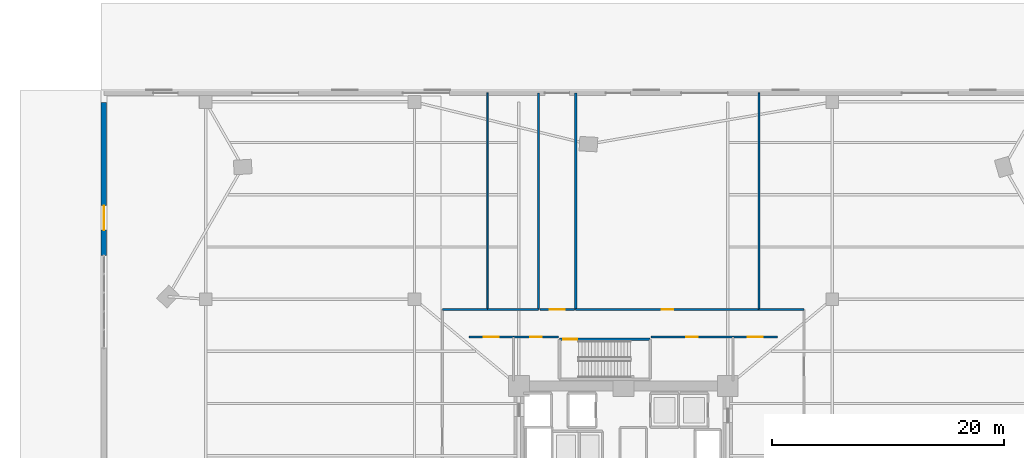
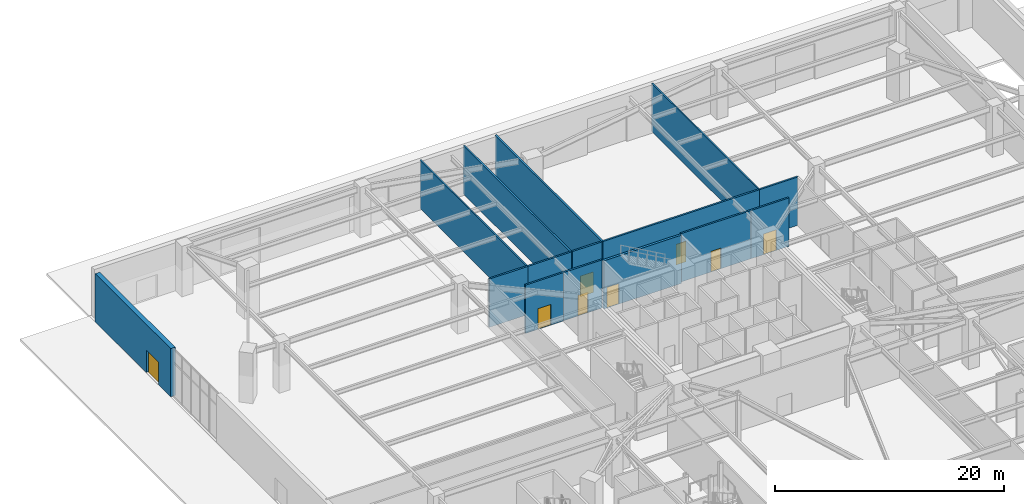
# One storey, part 21 of 30: 15 walls, 8 doors, 8 openings.
"""IFC4 building model written with IfcOpenShell, lengths in metres."""

from ifc_helpers import new_model, si_unit, direction, frame, frame_2d, origin, place, context, subcontext, project, spatial, rectangle, extrude, source, transform, mapped, material, layer, layer_set, type_object, element, fill, save


model = new_model("IFC4")

# Units and contexts
model_context = context("Model", 3, precision=1e-05, world=origin(), true_north=direction((0.0, 1.0)))
body_context = subcontext(model_context, "Body", "Model", "MODEL_VIEW")
ifc_project = project(units=[si_unit("LENGTHUNIT", "METRE"), si_unit("AREAUNIT", "SQUARE_METRE"), si_unit("VOLUMEUNIT", "CUBIC_METRE"), si_unit("PLANEANGLEUNIT", "RADIAN"), si_unit("MASSUNIT", "GRAM", prefix="KILO")], contexts=[model_context])

# Site, building, storey
site_placement = place(None, origin())
site = spatial("IfcSite", under=ifc_project, at=site_placement, CompositionType="ELEMENT")
building_placement = place(site_placement, origin())
building = spatial("IfcBuilding", under=site, at=building_placement, Name="Liaohun Quay Tower", CompositionType="ELEMENT")
storey_placement = place(building_placement, origin())
storey = spatial("IfcBuildingStorey", under=building, at=storey_placement, Name="L01", CompositionType="ELEMENT", Elevation=0.0)

# Wall, opening, door
ifc_material_1 = material(Name="Precast concrete C50 with granite facing", Category="masonry")
ifc_layer_1 = layer(ifc_material_1, 0.4599609375, Name="Precast concrete C50 with granite facing", Category="masonry")
ifc_layer_set_1 = layer_set([ifc_layer_1], Name="Precast concrete C50 with granite facing")
wall_type_1 = type_object("IfcWallType", Name="WAL-EXT-POD", PredefinedType="SOLIDWALL", material=ifc_layer_set_1)
wall_1_placement = place(storey_placement, frame((15.22998046875, 85.969970703125, 0.0), z_axis=(0.0, 0.0, 1.0), x_axis=(0.0, -1.0, 0.0)))
wall_1 = element("IfcWall", 1, at=wall_1_placement, inside=storey, type_object=wall_type_1, Name="L01 Podium Precast Facade Wall 7-1", PredefinedType="SOLIDWALL", context=body_context, shape_type="SweptSolid", body=[
    extrude(rectangle(XDim=13.199951171875, YDim=0.4599609375, at=frame_2d((6.60009765625, 0.0))), origin(), (0.0, 0.0, 1.0), 5.14990234375),
])
shared_shape_1 = source(origin(), body_context, "Body", "SweptSolid", [
    extrude(rectangle(XDim=2.10009765625, YDim=2.39990234375, at=frame_2d((1.050048828125, 1.199951171875))), frame((0.0, 0.239990234375, 0.0), z_axis=(0.0, -1.0, 0.0), x_axis=(1.0, 0.0, 0.0)), (0.0, 0.0, 1.0), 0.47998046875),
])
opening_1_placement = place(wall_1_placement, frame((8.919921875, 0.0, 0.0)))
opening_1 = element("IfcOpeningElement", 2, at=opening_1_placement, cuts=wall_1, Name="Opening EX", PredefinedType="OPENING", context=body_context, shape_type="MappedRepresentation", body=[
    mapped(shared_shape_1, transform((0.0, 0.0, 0.0), x_axis=(1.0, 0.0, 0.0), y_axis=(0.0, 1.0, 0.0), z_axis=(0.0, 0.0, 1.0), scale=1.0)),
])
ifc_material_2 = material(Name="Thermally broken glazed steel", Category="steel")
door_type_1 = type_object("IfcDoorType", Name="DOR-EXIT-2100", OperationType="DOUBLE_DOOR_SINGLE_SWING", PredefinedType="DOOR", material=ifc_material_2)
shared_shape_2 = source(origin(), body_context, "Body", "SweptSolid", [
    extrude(rectangle(XDim=2.10009765625, YDim=2.39990234375, at=frame_2d((1.050048828125, 1.199951171875))), frame((0.0, 0.02490234375, 0.0), z_axis=(0.0, -1.0, 0.0), x_axis=(1.0, 0.0, 0.0)), (0.0, 0.0, 1.0), 0.050048828125),
])
door_1_placement = place(opening_1_placement, frame((2.10009765625, 0.0, 0.0), z_axis=(0.0, 0.0, 1.0), x_axis=(-1.0, 0.0, 0.0)))
door_1 = element("IfcDoor", 3, at=door_1_placement, inside=storey, type_object=door_type_1, Name="L01 West Exit Discharge Door 5", OperationType="DOUBLE_DOOR_SINGLE_SWING", OverallHeight=2.39990234375, OverallWidth=2.10009765625, PredefinedType="DOOR", context=body_context, shape_type="MappedRepresentation", body=[
    mapped(shared_shape_2, transform((0.0, 0.0, 0.0), x_axis=(1.0, 0.0, 0.0), y_axis=(0.0, 1.0, 0.0), z_axis=(0.0, 0.0, 1.0), scale=1.0)),
])
fill(opening_1, door_1)

ifc_material_3 = material(Name="Autoclaved aerated concrete blockwork", Category="masonry")
ifc_layer_2 = layer(ifc_material_3, 0.179931640625, Name="Autoclaved aerated concrete blockwork", Category="masonry")
ifc_layer_set_2 = layer_set([ifc_layer_2], Name="Autoclaved aerated concrete blockwork")
wall_type_2 = type_object("IfcWallType", Name="WAL-PRT-COR", PredefinedType="PARTITIONING", material=ifc_layer_set_2)
wall_2_placement = place(storey_placement, frame((52.800048828125, 68.10009765625, 0.0), z_axis=(0.0, 0.0, 1.0), x_axis=(1.0, 0.0, 0.0)))
wall_2 = element("IfcWall", 4, at=wall_2_placement, inside=storey, type_object=wall_type_2, Name="L01 Interior Partition Wall 005", PredefinedType="PARTITIONING", context=body_context, shape_type="SweptSolid", body=[
    extrude(rectangle(XDim=3.0, YDim=0.179931640625, at=frame_2d((1.5, 0.0))), origin(), (0.0, 0.0, 1.0), 5.14990234375),
])
shared_shape_3 = source(origin(), body_context, "Body", "SweptSolid", [
    extrude(rectangle(XDim=1.300048828125, YDim=2.199951171875, at=frame_2d((0.64990234375, 1.10009765625))), frame((0.0, 0.099853515625, 0.0), z_axis=(0.0, -1.0, 0.0), x_axis=(1.0, 0.0, 0.0)), (0.0, 0.0, 1.0), 0.199951171875),
])
opening_2_placement = place(wall_2_placement, frame((0.85009765625, 0.0, 0.0)))
opening_2 = element("IfcOpeningElement", 5, at=opening_2_placement, cuts=wall_2, Name="Opening FD1", PredefinedType="OPENING", context=body_context, shape_type="MappedRepresentation", body=[
    mapped(shared_shape_3, transform((0.0, 0.0, 0.0), x_axis=(1.0, 0.0, 0.0), y_axis=(0.0, 1.0, 0.0), z_axis=(0.0, 0.0, 1.0), scale=1.0)),
])
ifc_material_4 = material(Name="Galvanised steel smokeproof fire door", Category="steel")
door_type_2 = type_object("IfcDoorType", Name="DOR-FFL-1300", OperationType="NOTDEFINED", PredefinedType="DOOR", material=ifc_material_4)
shared_shape_4 = source(origin(), body_context, "Body", "SweptSolid", [
    extrude(rectangle(XDim=1.300048828125, YDim=2.199951171875, at=frame_2d((0.64990234375, 1.10009765625))), frame((0.0, 0.02490234375, 0.0), z_axis=(0.0, -1.0, 0.0), x_axis=(1.0, 0.0, 0.0)), (0.0, 0.0, 1.0), 0.050048828125),
])
door_2_placement = place(opening_2_placement, origin())
door_2 = element("IfcDoor", 6, at=door_2_placement, inside=storey, type_object=door_type_2, Name="L01 North Protected Exit Passage Fire Door", OperationType="SINGLE_SWING_RIGHT", OverallHeight=2.199951171875, OverallWidth=1.300048828125, PredefinedType="DOOR", context=body_context, shape_type="MappedRepresentation", body=[
    mapped(shared_shape_4, transform((0.0, 0.0, 0.0), x_axis=(1.0, 0.0, 0.0), y_axis=(0.0, 1.0, 0.0), z_axis=(0.0, 0.0, 1.0), scale=1.0)),
])
fill(opening_2, door_2)

wall_3_placement = place(storey_placement, frame((50.5400390625, 65.719970703125, 0.0), z_axis=(0.0, 0.0, 1.0), x_axis=(1.0, 0.0, 0.0)))
wall_3 = element("IfcWall", 7, at=wall_3_placement, inside=storey, type_object=wall_type_2, Name="L01 Interior Partition Wall 006", PredefinedType="PARTITIONING", context=body_context, shape_type="SweptSolid", body=[
    extrude(rectangle(XDim=3.869873046875, YDim=0.179931640625, at=frame_2d((1.93505859375, 0.0))), origin(), (0.0, 0.0, 1.0), 5.14990234375),
])
shared_shape_5 = source(origin(), body_context, "Body", "SweptSolid", [
    extrude(rectangle(XDim=1.0, YDim=2.199951171875, at=frame_2d((0.5, 1.10009765625))), frame((0.0, 0.099853515625, 0.0), z_axis=(0.0, -1.0, 0.0), x_axis=(1.0, 0.0, 0.0)), (0.0, 0.0, 1.0), 0.199951171875),
])
opening_3_placement = place(wall_3_placement, frame((1.43505859375, 0.0, 0.0)))
opening_3 = element("IfcOpeningElement", 8, at=opening_3_placement, cuts=wall_3, Name="Opening OD1", PredefinedType="OPENING", context=body_context, shape_type="MappedRepresentation", body=[
    mapped(shared_shape_5, transform((0.0, 0.0, 0.0), x_axis=(1.0, 0.0, 0.0), y_axis=(0.0, 1.0, 0.0), z_axis=(0.0, 0.0, 1.0), scale=1.0)),
])
ifc_material_5 = material(Name="Solid-core oak veneer timber leaf in steel frame", Category="steel")
door_type_3 = type_object("IfcDoorType", Name="DOR-OFF-1000", OperationType="NOTDEFINED", PredefinedType="DOOR", material=ifc_material_5)
shared_shape_6 = source(origin(), body_context, "Body", "SweptSolid", [
    extrude(rectangle(XDim=1.0, YDim=2.199951171875, at=frame_2d((0.5, 1.10009765625))), frame((0.0, 0.02490234375, 0.0), z_axis=(0.0, -1.0, 0.0), x_axis=(1.0, 0.0, 0.0)), (0.0, 0.0, 1.0), 0.050048828125),
])
door_3_placement = place(opening_3_placement, origin())
door_3 = element("IfcDoor", 9, at=door_3_placement, inside=storey, type_object=door_type_3, Name="L01 Podium Print and Telecom Room Door", OperationType="SINGLE_SWING_LEFT", OverallHeight=2.199951171875, OverallWidth=1.0, PredefinedType="DOOR", context=body_context, shape_type="MappedRepresentation", body=[
    mapped(shared_shape_6, transform((0.0, 0.0, 0.0), x_axis=(1.0, 0.0, 0.0), y_axis=(0.0, 1.0, 0.0), z_axis=(0.0, 0.0, 1.0), scale=1.0)),
])
fill(opening_3, door_3)

wall_4_placement = place(storey_placement, frame((62.389892578125, 65.719970703125, 0.0), z_axis=(0.0, 0.0, 1.0), x_axis=(1.0, 0.0, 0.0)))
wall_4 = element("IfcWall", 10, at=wall_4_placement, inside=storey, type_object=wall_type_2, Name="L01 Interior Partition Wall 007", PredefinedType="PARTITIONING", context=body_context, shape_type="SweptSolid", body=[
    extrude(rectangle(XDim=7.070068359375, YDim=0.179931640625, at=frame_2d((3.53515625, 0.0))), origin(), (0.0, 0.0, 1.0), 5.14990234375),
])
opening_4_placement = place(wall_4_placement, frame((3.034912109375, 0.0, 0.0)))
opening_4 = element("IfcOpeningElement", 11, at=opening_4_placement, cuts=wall_4, Name="Opening OD1", PredefinedType="OPENING", context=body_context, shape_type="MappedRepresentation", body=[
    mapped(shared_shape_5, transform((0.0, 0.0, 0.0), x_axis=(1.0, 0.0, 0.0), y_axis=(0.0, 1.0, 0.0), z_axis=(0.0, 0.0, 1.0), scale=1.0)),
])
door_4_placement = place(opening_4_placement, origin())
door_4 = element("IfcDoor", 12, at=door_4_placement, inside=storey, type_object=door_type_3, Name="L01 Podium Archive and Mail Room Door", OperationType="SINGLE_SWING_RIGHT", OverallHeight=2.199951171875, OverallWidth=1.0, PredefinedType="DOOR", context=body_context, shape_type="MappedRepresentation", body=[
    mapped(shared_shape_6, transform((0.0, 0.0, 0.0), x_axis=(1.0, 0.0, 0.0), y_axis=(0.0, 1.0, 0.0), z_axis=(0.0, 0.0, 1.0), scale=1.0)),
])
fill(opening_4, door_4)

wall_5_placement = place(storey_placement, frame((46.699951171875, 65.719970703125, 0.0), z_axis=(0.0, 0.0, 1.0), x_axis=(1.0, 0.0, 0.0)))
wall_5 = element("IfcWall", 13, at=wall_5_placement, inside=storey, type_object=wall_type_2, Name="L01 Interior Partition Wall 008", PredefinedType="PARTITIONING", context=body_context, shape_type="SweptSolid", body=[
    extrude(rectangle(XDim=3.840087890625, YDim=0.179931640625, at=frame_2d((1.919921875, 0.0))), origin(), (0.0, 0.0, 1.0), 5.14990234375),
])
opening_5_placement = place(wall_5_placement, frame((1.27001953125, 0.0, 0.0)))
opening_5 = element("IfcOpeningElement", 14, at=opening_5_placement, cuts=wall_5, Name="Opening FD1", PredefinedType="OPENING", context=body_context, shape_type="MappedRepresentation", body=[
    mapped(shared_shape_3, transform((0.0, 0.0, 0.0), x_axis=(1.0, 0.0, 0.0), y_axis=(0.0, 1.0, 0.0), z_axis=(0.0, 0.0, 1.0), scale=1.0)),
])
door_5_placement = place(opening_5_placement, origin())
door_5 = element("IfcDoor", 15, at=door_5_placement, inside=storey, type_object=door_type_2, Name="L01 Podium West Core Vestibule Door", OperationType="SINGLE_SWING_LEFT", OverallHeight=2.199951171875, OverallWidth=1.300048828125, PredefinedType="DOOR", context=body_context, shape_type="MappedRepresentation", body=[
    mapped(shared_shape_4, transform((0.0, 0.0, 0.0), x_axis=(1.0, 0.0, 0.0), y_axis=(0.0, 1.0, 0.0), z_axis=(0.0, 0.0, 1.0), scale=1.0)),
])
fill(opening_5, door_5)

wall_6_placement = place(storey_placement, frame((69.4599609375, 65.719970703125, 0.0), z_axis=(0.0, 0.0, 1.0), x_axis=(1.0, 0.0, 0.0)))
wall_6 = element("IfcWall", 16, at=wall_6_placement, inside=storey, type_object=wall_type_2, Name="L01 Interior Partition Wall 009", PredefinedType="PARTITIONING", context=body_context, shape_type="SweptSolid", body=[
    extrude(rectangle(XDim=3.840087890625, YDim=0.179931640625, at=frame_2d((1.919921875, 0.0))), origin(), (0.0, 0.0, 1.0), 5.14990234375),
])
opening_6_placement = place(wall_6_placement, frame((1.27001953125, 0.0, 0.0)))
opening_6 = element("IfcOpeningElement", 17, at=opening_6_placement, cuts=wall_6, Name="Opening FD1", PredefinedType="OPENING", context=body_context, shape_type="MappedRepresentation", body=[
    mapped(shared_shape_3, transform((0.0, 0.0, 0.0), x_axis=(1.0, 0.0, 0.0), y_axis=(0.0, 1.0, 0.0), z_axis=(0.0, 0.0, 1.0), scale=1.0)),
])
door_6_placement = place(opening_6_placement, origin())
door_6 = element("IfcDoor", 18, at=door_6_placement, inside=storey, type_object=door_type_2, Name="L01 Podium East Core Vestibule Door", OperationType="SINGLE_SWING_RIGHT", OverallHeight=2.199951171875, OverallWidth=1.300048828125, PredefinedType="DOOR", context=body_context, shape_type="MappedRepresentation", body=[
    mapped(shared_shape_4, transform((0.0, 0.0, 0.0), x_axis=(1.0, 0.0, 0.0), y_axis=(0.0, 1.0, 0.0), z_axis=(0.0, 0.0, 1.0), scale=1.0)),
])
fill(opening_6, door_6)

wall_7_placement = place(storey_placement, frame((55.89990234375, 68.10009765625, 0.0), z_axis=(0.0, 0.0, 1.0), x_axis=(1.0, 0.0, 0.0)))
wall_7 = element("IfcWall", 19, at=wall_7_placement, inside=storey, type_object=wall_type_2, Name="L01 Interior Partition Wall 015", PredefinedType="PARTITIONING", context=body_context, shape_type="SweptSolid", body=[
    extrude(rectangle(XDim=15.800048828125, YDim=0.179931640625, at=frame_2d((7.89990234375, 0.0))), origin(), (0.0, 0.0, 1.0), 5.14990234375),
])
opening_7_placement = place(wall_7_placement, frame((7.39990234375, 0.0, 0.0)))
opening_7 = element("IfcOpeningElement", 20, at=opening_7_placement, cuts=wall_7, Name="Opening OD1", PredefinedType="OPENING", context=body_context, shape_type="MappedRepresentation", body=[
    mapped(shared_shape_5, transform((0.0, 0.0, 0.0), x_axis=(1.0, 0.0, 0.0), y_axis=(0.0, 1.0, 0.0), z_axis=(0.0, 0.0, 1.0), scale=1.0)),
])
door_7_placement = place(opening_7_placement, origin())
door_7 = element("IfcDoor", 21, at=door_7_placement, inside=storey, type_object=door_type_3, Name="L01 Fire Command and Security Control Room Door", OperationType="SINGLE_SWING_RIGHT", OverallHeight=2.199951171875, OverallWidth=1.0, PredefinedType="DOOR", context=body_context, shape_type="MappedRepresentation", body=[
    mapped(shared_shape_6, transform((0.0, 0.0, 0.0), x_axis=(1.0, 0.0, 0.0), y_axis=(0.0, 1.0, 0.0), z_axis=(0.0, 0.0, 1.0), scale=1.0)),
])
fill(opening_7, door_7)

# Walls
for number, where, z_axis, x_axis, name in (
    (22, (44.419921875, 68.10009765625, 0.0), (0.0, 0.0, 1.0), (1.0, 0.0, 0.0), "L01 Interior Partition Wall 026"),
    (23, (71.699951171875, 68.10009765625, 0.0), (0.0, 0.0, 1.0), (1.0, 0.0, 0.0), "L01 Interior Partition Wall 027"),
):
    element("IfcWall", number, at=place(storey_placement, frame(where, z_axis=z_axis, x_axis=x_axis)), inside=storey, type_object=wall_type_2, Name=name, PredefinedType="PARTITIONING", context=body_context, shape_type="SweptSolid", body=[
        extrude(rectangle(XDim=3.880126953125, YDim=0.179931640625, at=frame_2d((1.93994140625, 0.0))), origin(), (0.0, 0.0, 1.0), 5.14990234375),
    ])
wall_8_placement = place(storey_placement, frame((48.300048828125, 68.10009765625, 0.0), z_axis=(0.0, 0.0, 1.0), x_axis=(1.0, 0.0, 0.0)))
element("IfcWall", 24, at=wall_8_placement, inside=storey, type_object=wall_type_2, Name="L01 Interior Partition Wall 028", PredefinedType="PARTITIONING", context=body_context, shape_type="SweptSolid", body=[
    extrude(rectangle(XDim=4.39990234375, YDim=0.179931640625, at=frame_2d((2.199951171875, 0.0))), origin(), (0.0, 0.0, 1.0), 5.14990234375),
])
for number, where, z_axis, x_axis, name in (
    (25, (52.699951171875, 68.10009765625, 0.0), (0.0, 0.0, 1.0), (0.0, 1.0, 0.0), "L01 Interior Partition Wall 029"),
    (26, (55.89990234375, 68.10009765625, 0.0), (0.0, 0.0, 1.0), (0.0, 1.0, 0.0), "L01 Interior Partition Wall 030"),
):
    element("IfcWall", number, at=place(storey_placement, frame(where, z_axis=z_axis, x_axis=x_axis)), inside=storey, type_object=wall_type_2, Name=name, PredefinedType="PARTITIONING", context=body_context, shape_type="SweptSolid", body=[
        extrude(rectangle(XDim=18.6748046875, YDim=0.179931640625, at=frame_2d((9.33740234375, 0.0))), origin(), (0.0, 0.0, 1.0), 5.14990234375),
    ])
ifc_material_6 = material(Name="Gypsum board on twin steel studs", Category="steel")
ifc_layer_3 = layer(ifc_material_6, 0.139892578125, Name="Gypsum board on twin steel studs", Category="steel")
ifc_layer_set_3 = layer_set([ifc_layer_3], Name="Gypsum board on twin steel studs")
wall_type_3 = type_object("IfcWallType", Name="WAL-PRT-OFF", PredefinedType="PARTITIONING", material=ifc_layer_set_3)
for number, where, z_axis, x_axis, name in (
    (27, (48.300048828125, 68.10009765625, 0.0), (0.0, 0.0, 1.0), (0.0, 1.0, 0.0), "L01 Interior Partition Wall 043"),
    (28, (71.699951171875, 68.10009765625, 0.0), (0.0, 0.0, 1.0), (0.0, 1.0, 0.0), "L01 Interior Partition Wall 044"),
):
    element("IfcWall", number, at=place(storey_placement, frame(where, z_axis=z_axis, x_axis=x_axis)), inside=storey, type_object=wall_type_3, Name=name, PredefinedType="PARTITIONING", context=body_context, shape_type="SweptSolid", body=[
        extrude(rectangle(XDim=18.6748046875, YDim=0.139892578125, at=frame_2d((9.33740234375, 0.0))), origin(), (0.0, 0.0, 1.0), 5.14990234375),
    ])

# Wall, opening, door
ifc_material_7 = material(Name="Concrete C50", Category="concrete")
ifc_layer_4 = layer(ifc_material_7, 0.239990234375, Name="Concrete C50", Category="concrete")
ifc_layer_set_4 = layer_set([ifc_layer_4], Name="Concrete C50")
wall_type_4 = type_object("IfcWallType", Name="WAL-SHF-200", PredefinedType="SOLIDWALL", material=ifc_layer_set_4)
wall_9_placement = place(storey_placement, frame((62.320068359375, 65.5400390625, 0.0), z_axis=(0.0, 0.0, 1.0), x_axis=(-1.0, 0.0, 0.0)))
wall_9 = element("IfcWall", 29, at=wall_9_placement, inside=storey, type_object=wall_type_4, Name="L01 Stairwell ST-3 Structural Core Wall N", PredefinedType="SOLIDWALL", context=body_context, shape_type="SweptSolid", body=[
    extrude(rectangle(XDim=7.820068359375, YDim=0.239990234375, at=frame_2d((3.91015625, 0.0))), origin(), (0.0, 0.0, 1.0), 5.14990234375),
])
shared_shape_7 = source(origin(), body_context, "Body", "SweptSolid", [
    extrude(rectangle(XDim=1.199951171875, YDim=2.199951171875, at=frame_2d((0.60009765625, 1.10009765625))), frame((0.0, 0.1298828125, 0.0), z_axis=(0.0, -1.0, 0.0), x_axis=(1.0, 0.0, 0.0)), (0.0, 0.0, 1.0), 0.260009765625),
])
opening_8_placement = place(wall_9_placement, frame((6.300048828125, 0.0, 0.0)))
opening_8 = element("IfcOpeningElement", 30, at=opening_8_placement, cuts=wall_9, Name="Opening SD1", PredefinedType="OPENING", context=body_context, shape_type="MappedRepresentation", body=[
    mapped(shared_shape_7, transform((0.0, 0.0, 0.0), x_axis=(1.0, 0.0, 0.0), y_axis=(0.0, 1.0, 0.0), z_axis=(0.0, 0.0, 1.0), scale=1.0)),
])
ifc_material_8 = material(Name="Galvanised steel fire door", Category="steel")
door_type_4 = type_object("IfcDoorType", Name="DOR-STR-1200", OperationType="NOTDEFINED", PredefinedType="DOOR", material=ifc_material_8)
shared_shape_8 = source(origin(), body_context, "Body", "SweptSolid", [
    extrude(rectangle(XDim=1.199951171875, YDim=2.199951171875, at=frame_2d((0.60009765625, 1.10009765625))), frame((0.0, 0.02490234375, 0.0), z_axis=(0.0, -1.0, 0.0), x_axis=(1.0, 0.0, 0.0)), (0.0, 0.0, 1.0), 0.050048828125),
])
door_8_placement = place(opening_8_placement, origin())
door_8 = element("IfcDoor", 31, at=door_8_placement, inside=storey, type_object=door_type_4, Name="L01 Protected Stair ST-3 Fire Door", OperationType="SINGLE_SWING_RIGHT", OverallHeight=2.199951171875, OverallWidth=1.199951171875, PredefinedType="DOOR", context=body_context, shape_type="MappedRepresentation", body=[
    mapped(shared_shape_8, transform((0.0, 0.0, 0.0), x_axis=(1.0, 0.0, 0.0), y_axis=(0.0, 1.0, 0.0), z_axis=(0.0, 0.0, 1.0), scale=1.0)),
])
fill(opening_8, door_8)

save(model, "model.ifc")
